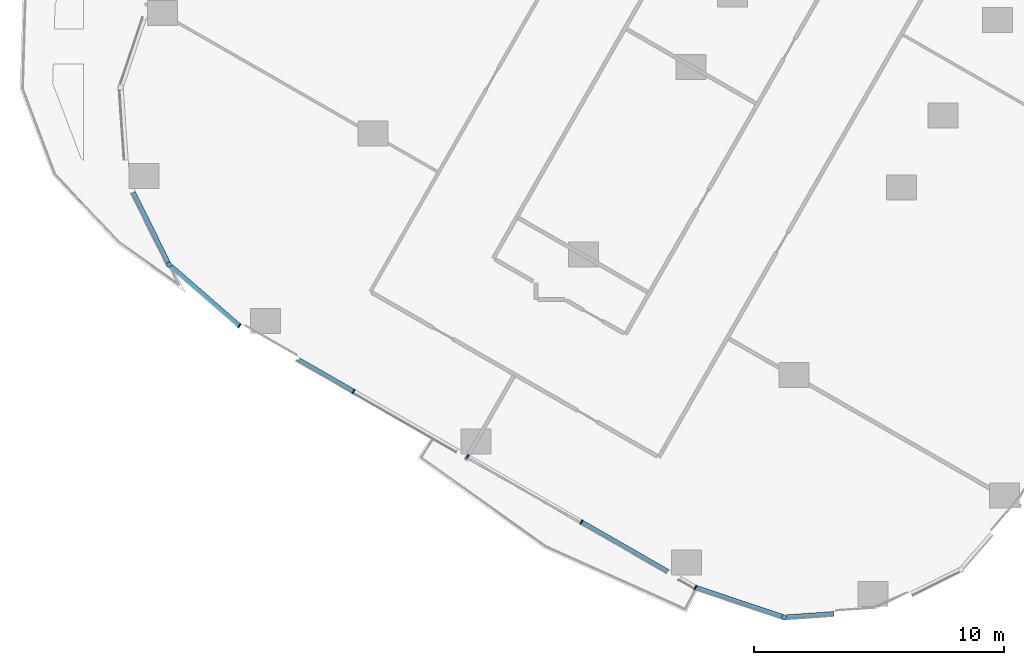
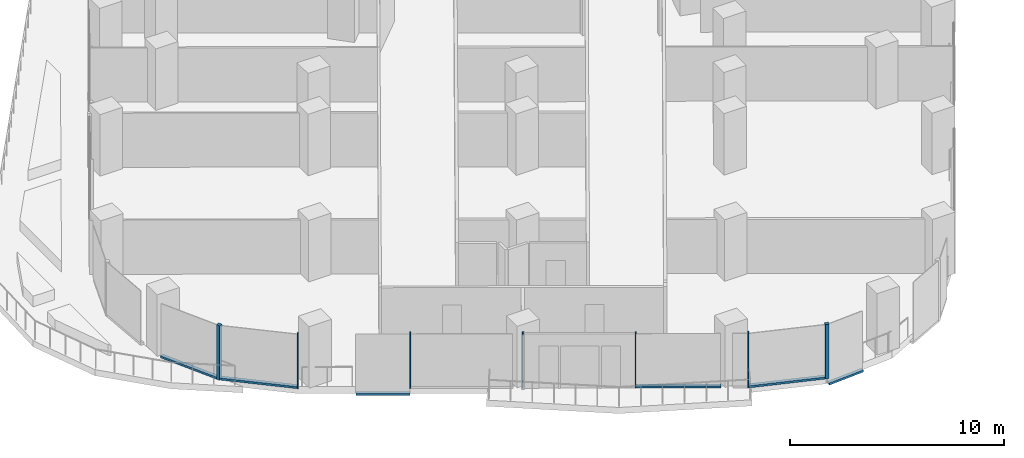
# One storey, part 2 of 34: 13 members, 5 elements without a shape of their own.
"""IFC4 building model written with IfcOpenShell, lengths in metres."""

from ifc_helpers import new_model, si_unit, direction, frame, origin, origin_2d, place, context, subcontext, project, spatial, rectangle, extrude, material, material_profile, profile_set, type_object, element, aggregate, save


model = new_model("IFC4")

# Units and contexts
model_context = context("Model", 3, precision=1e-05, world=origin(), true_north=direction((0.0, 1.0)))
body_context = subcontext(model_context, "Body", "Model", "MODEL_VIEW")
ifc_project = project(units=[si_unit("LENGTHUNIT", "METRE"), si_unit("AREAUNIT", "SQUARE_METRE"), si_unit("VOLUMEUNIT", "CUBIC_METRE"), si_unit("PLANEANGLEUNIT", "RADIAN"), si_unit("MASSUNIT", "GRAM", prefix="KILO")], contexts=[model_context])

# Site, building, storey
site_placement = place(None, origin())
site = spatial("IfcSite", under=ifc_project, at=site_placement, CompositionType="ELEMENT")
building_placement = place(site_placement, origin())
building = spatial("IfcBuilding", under=site, at=building_placement, Name="Orlundy Tower", CompositionType="ELEMENT")
storey_placement = place(building_placement, frame((0.0, 0.0, 102.199951171875)))
storey = spatial("IfcBuildingStorey", under=building, at=storey_placement, Name="L25", CompositionType="ELEMENT", Elevation=102.199951171875)

# Curtain wall, member
ifc_material_1 = material(Name="Aluminium bronze anodised", Category="aluminium")
curtain_wall_type = type_object("IfcCurtainWallType", Name="CW1 wall", PredefinedType="NOTDEFINED", material=ifc_material_1)
curtain_wall_1_placement = place(storey_placement, origin())
curtain_wall_1 = element("IfcCurtainWall", 1, at=curtain_wall_1_placement, inside=storey, type_object=curtain_wall_type, Name="CW1 run 06", PredefinedType="NOTDEFINED")
ifc_material_2 = material(Name="Aluminium bronze anodised", Category="aluminium")
ifc_material_profile_1 = material_profile(ifc_material_2, rectangle(XDim=0.179931640625, YDim=0.179931640625, at=origin_2d()), Name="CW1 corner post 180x180")
ifc_profile_set_1 = profile_set([ifc_material_profile_1], Name="Aluminium bronze anodised")
member_type_1 = type_object("IfcMemberType", Name="CW1 corner post 180x180", PredefinedType="MULLION", material=ifc_profile_set_1)
member_1_placement = place(storey_placement, frame((-16.98974609375, -58.111083984375, 0.0), z_axis=(0.0, 0.0, 1.0), x_axis=(-0.318897481446, -0.947789215135, 0.0)))
member_1 = element("IfcMember", 2, at=member_1_placement, type_object=member_type_1, Name="CW1 mullion 17", PredefinedType="MULLION", context=body_context, shape_type="SweptSolid", body=[
    extrude(rectangle(XDim=0.179931640625, YDim=0.179931640625, at=origin_2d()), origin(), (0.0, 0.0, 1.0), 3.10009765625),
])

curtain_wall_2_placement = place(storey_placement, origin())
curtain_wall_2 = element("IfcCurtainWall", 3, at=curtain_wall_2_placement, inside=storey, type_object=curtain_wall_type, Name="CW1 run 09", PredefinedType="NOTDEFINED")
member_2_placement = place(storey_placement, frame((-41.57470703125, -44.010986328125, 0.0), z_axis=(0.0, 0.0, 1.0), x_axis=(-0.895450062234, -0.445161977313, 0.0)))
member_2 = element("IfcMember", 4, at=member_2_placement, type_object=member_type_1, Name="CW1 mullion 23", PredefinedType="MULLION", context=body_context, shape_type="SweptSolid", body=[
    extrude(rectangle(XDim=0.179931640625, YDim=0.179931640625, at=origin_2d()), origin(), (0.0, 0.0, 1.0), 3.10009765625),
])

# Curtain wall, members
curtain_wall_3_placement = place(storey_placement, origin())
curtain_wall_3 = element("IfcCurtainWall", 5, at=curtain_wall_3_placement, inside=storey, type_object=curtain_wall_type, Name="CW1 run 07", PredefinedType="NOTDEFINED")
ifc_material_3 = material(Name="Aluminium bronze anodised", Category="aluminium")
ifc_material_profile_2 = material_profile(ifc_material_3, rectangle(XDim=0.179931640625, YDim=0.050048828125, at=origin_2d()), Name="CW1 mullion 50x180")
ifc_profile_set_2 = profile_set([ifc_material_profile_2], Name="Aluminium bronze anodised")
member_type_2 = type_object("IfcMemberType", Name="CW1 mullion 50x180", PredefinedType="MULLION", material=ifc_profile_set_2)
member_3_placement = place(storey_placement, frame((-20.528076171875, -56.92041015625, 0.0), z_axis=(0.0, 0.0, 1.0), x_axis=(-0.410157590109, -0.912014666152, 0.0)))
member_3 = element("IfcMember", 6, at=member_3_placement, type_object=member_type_2, Name="CW1 mullion 18", PredefinedType="MULLION", context=body_context, shape_type="SweptSolid", body=[
    extrude(rectangle(XDim=0.179931640625, YDim=0.050048828125, at=origin_2d()), origin(), (0.0, 0.0, 1.0), 3.10009765625),
])
member_4_placement = place(storey_placement, frame((-25.090087890625, -54.304443359375, 0.0), z_axis=(0.0, 0.0, 1.0), x_axis=(-0.497476812036, -0.867477274334, 0.0)))
member_4 = element("IfcMember", 7, at=member_4_placement, type_object=member_type_2, Name="CW1 mullion 19", PredefinedType="MULLION", context=body_context, shape_type="SweptSolid", body=[
    extrude(rectangle(XDim=0.179931640625, YDim=0.050048828125, at=origin_2d()), origin(), (0.0, 0.0, 1.0), 3.10009765625),
])
member_5_placement = place(storey_placement, frame((-29.644287109375, -51.692626953125, 0.0), z_axis=(0.0, 0.0, 1.0), x_axis=(-0.497476812036, -0.867477274334, 0.0)))
member_5 = element("IfcMember", 8, at=member_5_placement, type_object=member_type_2, Name="CW1 mullion 20", PredefinedType="MULLION", context=body_context, shape_type="SweptSolid", body=[
    extrude(rectangle(XDim=0.179931640625, YDim=0.050048828125, at=origin_2d()), origin(), (0.0, 0.0, 1.0), 3.10009765625),
])
member_6_placement = place(storey_placement, frame((-34.198486328125, -49.080810546875, 0.0), z_axis=(0.0, 0.0, 1.0), x_axis=(-0.497476812036, -0.867477274334, 0.0)))
member_6 = element("IfcMember", 9, at=member_6_placement, type_object=member_type_2, Name="CW1 mullion 21", PredefinedType="MULLION", context=body_context, shape_type="SweptSolid", body=[
    extrude(rectangle(XDim=0.179931640625, YDim=0.050048828125, at=origin_2d()), origin(), (0.0, 0.0, 1.0), 3.10009765625),
])

# Curtain wall, member
curtain_wall_4_placement = place(storey_placement, origin())
curtain_wall_4 = element("IfcCurtainWall", 10, at=curtain_wall_4_placement, inside=storey, type_object=curtain_wall_type, Name="CW1 run 08", PredefinedType="NOTDEFINED")
member_7_placement = place(storey_placement, frame((-38.760498046875, -46.464599609375, 0.0), z_axis=(0.0, 0.0, 1.0), x_axis=(-0.580115605379, -0.814534151768, 0.0)))
member_7 = element("IfcMember", 11, at=member_7_placement, type_object=member_type_2, Name="CW1 mullion 22", PredefinedType="MULLION", context=body_context, shape_type="SweptSolid", body=[
    extrude(rectangle(XDim=0.179931640625, YDim=0.050048828125, at=origin_2d()), origin(), (0.0, 0.0, 1.0), 3.10009765625),
])

curtain_wall_5_placement = place(storey_placement, origin())
curtain_wall_5 = element("IfcCurtainWall", 12, at=curtain_wall_5_placement, inside=storey, type_object=curtain_wall_type, Name="CW1 run 05", PredefinedType="NOTDEFINED")
ifc_material_4 = material(Name="Aluminium bronze anodised", Category="aluminium")
ifc_material_profile_3 = material_profile(ifc_material_4, rectangle(XDim=0.179931640625, YDim=0.1201171875, at=origin_2d()), Name="CW1 transom 180x120")
ifc_profile_set_3 = profile_set([ifc_material_profile_3], Name="Aluminium bronze anodised")
member_type_3 = type_object("IfcMemberType", Name="CW1 transom 180x120", PredefinedType="USERDEFINED", material=ifc_profile_set_3)
member_8_placement = place(storey_placement, frame((-14.99365234375, -57.973876953125, -0.33984375), z_axis=(-0.997651531976, -0.068493946783, 0.0), x_axis=(0.068493946783, -0.997651531976, 0.0)))
member_8 = element("IfcMember", 13, at=member_8_placement, type_object=member_type_3, Name="CW1 transom", ObjectType="TRANSOM", PredefinedType="USERDEFINED", context=body_context, shape_type="SweptSolid", body=[
    extrude(rectangle(XDim=0.179931640625, YDim=0.1201171875, at=origin_2d()), origin(), (0.0, 0.0, 1.0), 1.9033203125),
])
aggregate(curtain_wall_5, [member_8])

# Member
member_9_placement = place(storey_placement, frame((-17.074951171875, -58.082275390625, 0.06005859375), z_axis=(-0.947795693526, 0.318878226497, 0.0), x_axis=(-0.318878226497, -0.947795693526, 0.0)))
member_9 = element("IfcMember", 14, at=member_9_placement, type_object=member_type_3, Name="CW1 transom", ObjectType="TRANSOM", PredefinedType="USERDEFINED", context=body_context, shape_type="SweptSolid", body=[
    extrude(rectangle(XDim=0.179931640625, YDim=0.1201171875, at=origin_2d()), origin(), (0.0, 0.0, 1.0), 3.618408203125),
])

aggregate(curtain_wall_1, [member_1, member_9])

member_10_placement = place(storey_placement, frame((-21.636962890625, -56.28466796875, 0.06005859375), z_axis=(-0.867455851157, 0.497514166928, 0.0), x_axis=(-0.497514166928, -0.867455851157, 0.0)))
member_10 = element("IfcMember", 15, at=member_10_placement, type_object=member_type_3, Name="CW1 transom", ObjectType="TRANSOM", PredefinedType="USERDEFINED", context=body_context, shape_type="SweptSolid", body=[
    extrude(rectangle(XDim=0.179931640625, YDim=0.1201171875, at=origin_2d()), origin(), (0.0, 0.0, 1.0), 3.955810546875),
])

member_11_placement = place(storey_placement, frame((-34.22021484375, -49.068359375, -0.33984375), z_axis=(-0.867481126442, 0.497470094847, 0.0), x_axis=(-0.497470094847, -0.867481126442, 0.0)))
member_11 = element("IfcMember", 16, at=member_11_placement, type_object=member_type_3, Name="CW1 transom", ObjectType="TRANSOM", PredefinedType="USERDEFINED", context=body_context, shape_type="SweptSolid", body=[
    extrude(rectangle(XDim=0.179931640625, YDim=0.1201171875, at=origin_2d()), origin(), (0.0, 0.0, 1.0), 2.50732421875),
])

aggregate(curtain_wall_3, [member_3, member_4, member_5, member_6, member_10, member_11])

member_12_placement = place(storey_placement, frame((-38.779296875, -46.4482421875, 0.06005859375), z_axis=(-0.753760708351, 0.657148989611, 0.0), x_axis=(-0.657148989611, -0.753760708351, 0.0)))
member_12 = element("IfcMember", 17, at=member_12_placement, type_object=member_type_3, Name="CW1 transom", ObjectType="TRANSOM", PredefinedType="USERDEFINED", context=body_context, shape_type="SweptSolid", body=[
    extrude(rectangle(XDim=0.179931640625, YDim=0.1201171875, at=origin_2d()), origin(), (0.0, 0.0, 1.0), 3.611083984375),
])

aggregate(curtain_wall_4, [member_7, member_12])

member_13_placement = place(storey_placement, frame((-41.61474609375, -43.930419921875, 0.06005859375), z_axis=(-0.445120991027, 0.895470436892, 0.0), x_axis=(-0.895470436892, -0.445120991027, 0.0)))
member_13 = element("IfcMember", 18, at=member_13_placement, type_object=member_type_3, Name="CW1 transom", ObjectType="TRANSOM", PredefinedType="USERDEFINED", context=body_context, shape_type="SweptSolid", body=[
    extrude(rectangle(XDim=0.179931640625, YDim=0.1201171875, at=origin_2d()), origin(), (0.0, 0.0, 1.0), 3.12841796875),
])

aggregate(curtain_wall_2, [member_2, member_13])

save(model, "model.ifc")
